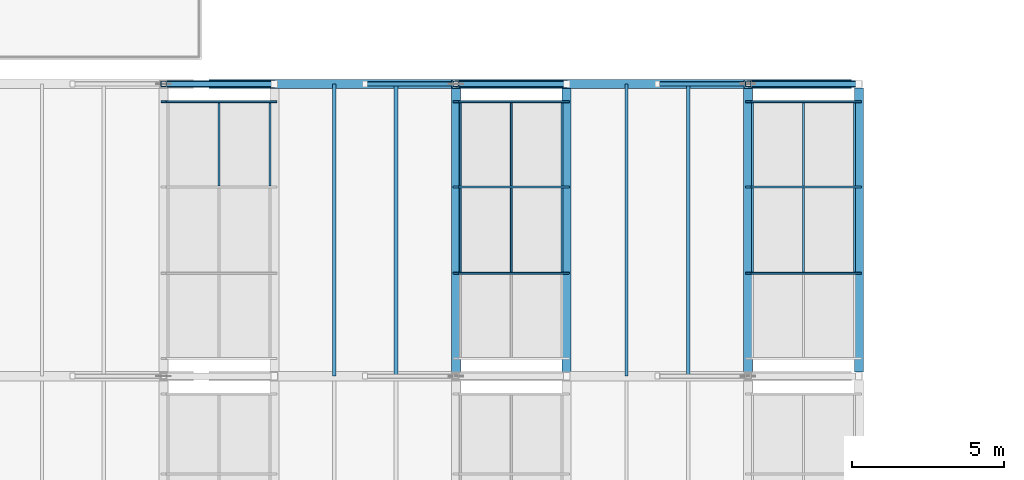
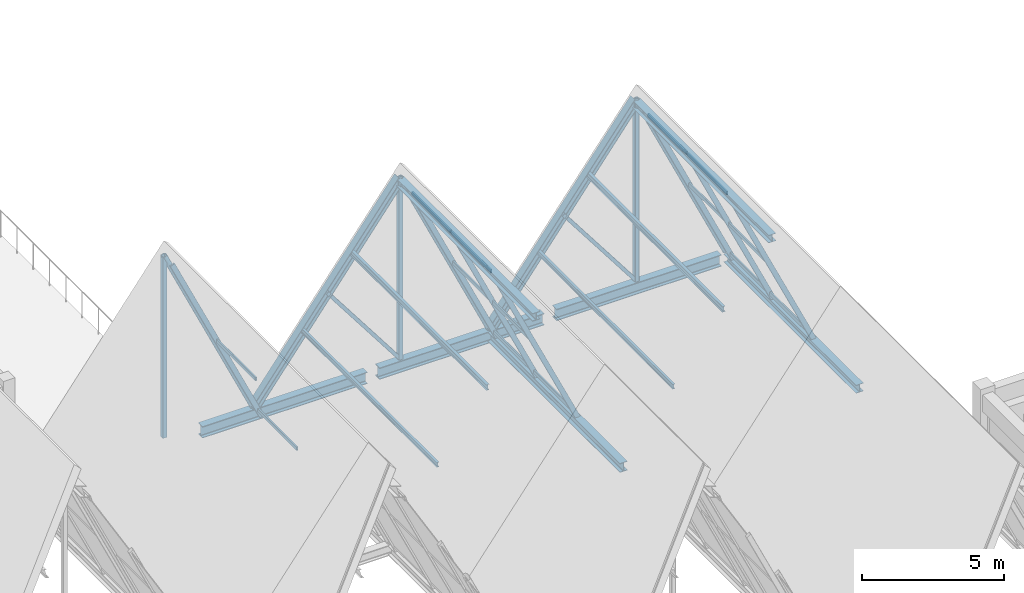
# One storey, part 28 of 99: 35 members, 7 beams, 3 elements without a shape of their own.
"""IFC4 building model written with IfcOpenShell, lengths in metres."""

from ifc_helpers import new_model, si_unit, direction, frame, origin, origin_2d, place, context, subcontext, project, spatial, hollow_rectangle, hollow_circle, i_section, extrude, material, material_profile, profile_set, type_object, element, aggregate, save


model = new_model("IFC4")

# Units and contexts
model_context = context("Model", 3, precision=1e-05, world=origin(), true_north=direction((0.0, 1.0)))
body_context = subcontext(model_context, "Body", "Model", "MODEL_VIEW")
ifc_project = project(units=[si_unit("LENGTHUNIT", "METRE"), si_unit("AREAUNIT", "SQUARE_METRE"), si_unit("VOLUMEUNIT", "CUBIC_METRE"), si_unit("PLANEANGLEUNIT", "RADIAN"), si_unit("MASSUNIT", "GRAM", prefix="KILO")], contexts=[model_context])

# Site, building, storey
site_placement = place(None, origin())
site = spatial("IfcSite", under=ifc_project, at=site_placement, CompositionType="ELEMENT")
building_placement = place(site_placement, origin())
building = spatial("IfcBuilding", under=site, at=building_placement, Name="Bramveld Media Centre", CompositionType="ELEMENT")
storey_placement = place(building_placement, frame((0.0, 0.0, 13.800048828125)))
storey = spatial("IfcBuildingStorey", under=building, at=storey_placement, Name="L03", CompositionType="ELEMENT", Elevation=13.800048828125)

# Curtain wall, member
ifc_material_1 = material(Name="Thermally broken anodized bronze aluminium unitized curtain wall with solar-control triple glazing", Category="aluminium")
curtain_wall_type = type_object("IfcCurtainWallType", Name="CW-SAW-8500x8606", PredefinedType="NOTDEFINED", material=ifc_material_1)
curtain_wall_1_placement = place(storey_placement, origin())
curtain_wall_1 = element("IfcCurtainWall", 1, at=curtain_wall_1_placement, inside=storey, type_object=curtain_wall_type, Name="V2 sawtooth north-light clerestory B4-S3", PredefinedType="NOTDEFINED")
ifc_material_2 = material(Name="Thermally broken anodized bronze aluminium EN AW-6063 T6 curtain-wall framing", Category="aluminium")
ifc_material_profile_1 = material_profile(ifc_material_2, hollow_rectangle(XDim=0.070068359375, YDim=0.199951171875, WallThickness=0.00439453125, InnerFilletRadius=0.00439453125, OuterFilletRadius=0.009033203125, at=origin_2d()), Name="AL-MULL 70x200")
ifc_profile_set_1 = profile_set([ifc_material_profile_1], Name="Thermally broken anodized bronze aluminium EN AW-6063 T6 curtain-wall framing")
member_type_1 = type_object("IfcMemberType", Name="CW-MULL-SLP", PredefinedType="MULLION", material=ifc_profile_set_1)
member_1_placement = place(storey_placement, frame((38.39990234375, 37.81494140625, -0.02001953125), z_axis=(-0.423956992265, 0.0, 0.90568232218), x_axis=(0.0, -1.0, 0.0)))
member_1 = element("IfcMember", 2, at=member_1_placement, type_object=member_type_1, Name="CW-SA-8586 sloped mullion 4", PredefinedType="MULLION", context=body_context, shape_type="SweptSolid", body=[
    extrude(hollow_rectangle(XDim=0.070068359375, YDim=0.199951171875, WallThickness=0.00439453125, InnerFilletRadius=0.00439453125, OuterFilletRadius=0.009033203125, at=origin_2d()), origin(), (0.0, 0.0, 1.0), 8.5791015625),
])

# Curtain wall, members
curtain_wall_2_placement = place(storey_placement, origin())
curtain_wall_2 = element("IfcCurtainWall", 3, at=curtain_wall_2_placement, inside=storey, type_object=curtain_wall_type, Name="V2 sawtooth north-light clerestory B5-S3", PredefinedType="NOTDEFINED")
member_2_placement = place(storey_placement, frame((48.0, 32.183349609375, -0.02001953125), z_axis=(-0.423956992265, 0.0, 0.90568232218), x_axis=(0.0, -1.0, 0.0)))
member_2 = element("IfcMember", 4, at=member_2_placement, type_object=member_type_1, Name="CW-SA-8586 sloped mullion 2", PredefinedType="MULLION", context=body_context, shape_type="SweptSolid", body=[
    extrude(hollow_rectangle(XDim=0.070068359375, YDim=0.199951171875, WallThickness=0.00439453125, InnerFilletRadius=0.00439453125, OuterFilletRadius=0.009033203125, at=origin_2d()), origin(), (0.0, 0.0, 1.0), 8.5791015625),
])
member_3_placement = place(storey_placement, frame((48.0, 35.0166015625, -0.02001953125), z_axis=(-0.423956992265, 0.0, 0.90568232218), x_axis=(0.0, -1.0, 0.0)))
member_3 = element("IfcMember", 5, at=member_3_placement, type_object=member_type_1, Name="CW-SA-8586 sloped mullion 3", PredefinedType="MULLION", context=body_context, shape_type="SweptSolid", body=[
    extrude(hollow_rectangle(XDim=0.070068359375, YDim=0.199951171875, WallThickness=0.00439453125, InnerFilletRadius=0.00439453125, OuterFilletRadius=0.009033203125, at=origin_2d()), origin(), (0.0, 0.0, 1.0), 8.5791015625),
])
member_4_placement = place(storey_placement, frame((48.0, 37.81494140625, -0.02001953125), z_axis=(-0.423956992265, 0.0, 0.90568232218), x_axis=(0.0, -1.0, 0.0)))
member_4 = element("IfcMember", 6, at=member_4_placement, type_object=member_type_1, Name="CW-SA-8586 sloped mullion 4", PredefinedType="MULLION", context=body_context, shape_type="SweptSolid", body=[
    extrude(hollow_rectangle(XDim=0.070068359375, YDim=0.199951171875, WallThickness=0.00439453125, InnerFilletRadius=0.00439453125, OuterFilletRadius=0.009033203125, at=origin_2d()), origin(), (0.0, 0.0, 1.0), 8.5791015625),
])

curtain_wall_3_placement = place(storey_placement, origin())
curtain_wall_3 = element("IfcCurtainWall", 7, at=curtain_wall_3_placement, inside=storey, type_object=curtain_wall_type, Name="V2 sawtooth north-light clerestory B6-S3", PredefinedType="NOTDEFINED")
member_5_placement = place(storey_placement, frame((57.60009765625, 32.183349609375, -0.02001953125), z_axis=(-0.423956992265, 0.0, 0.90568232218), x_axis=(0.0, -1.0, 0.0)))
member_5 = element("IfcMember", 8, at=member_5_placement, type_object=member_type_1, Name="CW-SA-8586 sloped mullion 2", PredefinedType="MULLION", context=body_context, shape_type="SweptSolid", body=[
    extrude(hollow_rectangle(XDim=0.070068359375, YDim=0.199951171875, WallThickness=0.00439453125, InnerFilletRadius=0.00439453125, OuterFilletRadius=0.009033203125, at=origin_2d()), origin(), (0.0, 0.0, 1.0), 8.5791015625),
])
member_6_placement = place(storey_placement, frame((57.60009765625, 35.0166015625, -0.02001953125), z_axis=(-0.423956992265, 0.0, 0.90568232218), x_axis=(0.0, -1.0, 0.0)))
member_6 = element("IfcMember", 9, at=member_6_placement, type_object=member_type_1, Name="CW-SA-8586 sloped mullion 3", PredefinedType="MULLION", context=body_context, shape_type="SweptSolid", body=[
    extrude(hollow_rectangle(XDim=0.070068359375, YDim=0.199951171875, WallThickness=0.00439453125, InnerFilletRadius=0.00439453125, OuterFilletRadius=0.009033203125, at=origin_2d()), origin(), (0.0, 0.0, 1.0), 8.5791015625),
])
member_7_placement = place(storey_placement, frame((57.60009765625, 37.81494140625, -0.02001953125), z_axis=(-0.423956992265, 0.0, 0.90568232218), x_axis=(0.0, -1.0, 0.0)))
member_7 = element("IfcMember", 10, at=member_7_placement, type_object=member_type_1, Name="CW-SA-8586 sloped mullion 4", PredefinedType="MULLION", context=body_context, shape_type="SweptSolid", body=[
    extrude(hollow_rectangle(XDim=0.070068359375, YDim=0.199951171875, WallThickness=0.00439453125, InnerFilletRadius=0.00439453125, OuterFilletRadius=0.009033203125, at=origin_2d()), origin(), (0.0, 0.0, 1.0), 8.5791015625),
])

# Member
ifc_material_3 = material(Name="Thermally broken anodized bronze aluminium EN AW-6063 T6 curtain-wall framing", Category="aluminium")
ifc_material_profile_2 = material_profile(ifc_material_3, hollow_rectangle(XDim=0.070068359375, YDim=0.14990234375, WallThickness=0.00390625, InnerFilletRadius=0.00390625, OuterFilletRadius=0.008056640625, at=origin_2d()), Name="AL-TRAN 70x150")
ifc_profile_set_2 = profile_set([ifc_material_profile_2], Name="Thermally broken anodized bronze aluminium EN AW-6063 T6 curtain-wall framing")
member_type_2 = type_object("IfcMemberType", Name="CW-TRAN-SLP", PredefinedType="USERDEFINED", material=ifc_profile_set_2)
member_8_placement = place(storey_placement, frame((38.25439453125, 35.0517578125, 0.290771484375), z_axis=(0.0, 1.0, 0.0), x_axis=(-1.0, 0.0, 0.0)))
member_8 = element("IfcMember", 11, at=member_8_placement, type_object=member_type_2, Name="CW-SA-8586 transom 3.1", ObjectType="TRANSOM", PredefinedType="USERDEFINED", context=body_context, shape_type="SweptSolid", body=[
    extrude(hollow_rectangle(XDim=0.070068359375, YDim=0.14990234375, WallThickness=0.00390625, InnerFilletRadius=0.00390625, OuterFilletRadius=0.008056640625, at=origin_2d()), origin(), (0.0, 0.0, 1.0), 2.728271484375),
])

member_9_placement = place(storey_placement, frame((36.581298828125, 35.0517578125, 3.864990234375), z_axis=(0.0, 1.0, 0.0), x_axis=(-1.0, 0.0, 0.0)))
member_9 = element("IfcMember", 12, at=member_9_placement, type_object=member_type_2, Name="CW-SA-8586 transom 3.2", ObjectType="TRANSOM", PredefinedType="USERDEFINED", context=body_context, shape_type="SweptSolid", body=[
    extrude(hollow_rectangle(XDim=0.070068359375, YDim=0.14990234375, WallThickness=0.00390625, InnerFilletRadius=0.00390625, OuterFilletRadius=0.008056640625, at=origin_2d()), origin(), (0.0, 0.0, 1.0), 2.728271484375),
])

aggregate(curtain_wall_1, [member_1, member_8, member_9])

member_10_placement = place(storey_placement, frame((47.8544921875, 32.21826171875, 0.290771484375), z_axis=(0.0, 1.0, 0.0), x_axis=(-1.0, 0.0, 0.0)))
member_10 = element("IfcMember", 13, at=member_10_placement, type_object=member_type_2, Name="CW-SA-8586 transom 2.1", ObjectType="TRANSOM", PredefinedType="USERDEFINED", context=body_context, shape_type="SweptSolid", body=[
    extrude(hollow_rectangle(XDim=0.070068359375, YDim=0.14990234375, WallThickness=0.00390625, InnerFilletRadius=0.00390625, OuterFilletRadius=0.008056640625, at=origin_2d()), origin(), (0.0, 0.0, 1.0), 2.763427734375),
])

member_11_placement = place(storey_placement, frame((46.181396484375, 32.21826171875, 3.864990234375), z_axis=(0.0, 1.0, 0.0), x_axis=(-1.0, 0.0, 0.0)))
member_11 = element("IfcMember", 14, at=member_11_placement, type_object=member_type_2, Name="CW-SA-8586 transom 2.2", ObjectType="TRANSOM", PredefinedType="USERDEFINED", context=body_context, shape_type="SweptSolid", body=[
    extrude(hollow_rectangle(XDim=0.070068359375, YDim=0.14990234375, WallThickness=0.00390625, InnerFilletRadius=0.00390625, OuterFilletRadius=0.008056640625, at=origin_2d()), origin(), (0.0, 0.0, 1.0), 2.763427734375),
])

member_12_placement = place(storey_placement, frame((44.50830078125, 32.21826171875, 7.439208984375), z_axis=(0.0, 1.0, 0.0), x_axis=(-1.0, 0.0, 0.0)))
member_12 = element("IfcMember", 15, at=member_12_placement, type_object=member_type_2, Name="CW-SA-8586 transom 2.3", ObjectType="TRANSOM", PredefinedType="USERDEFINED", context=body_context, shape_type="SweptSolid", body=[
    extrude(hollow_rectangle(XDim=0.070068359375, YDim=0.14990234375, WallThickness=0.00390625, InnerFilletRadius=0.00390625, OuterFilletRadius=0.008056640625, at=origin_2d()), origin(), (0.0, 0.0, 1.0), 2.763427734375),
])

member_13_placement = place(storey_placement, frame((47.8544921875, 35.0517578125, 0.290771484375), z_axis=(0.0, 1.0, 0.0), x_axis=(-1.0, 0.0, 0.0)))
member_13 = element("IfcMember", 16, at=member_13_placement, type_object=member_type_2, Name="CW-SA-8586 transom 3.1", ObjectType="TRANSOM", PredefinedType="USERDEFINED", context=body_context, shape_type="SweptSolid", body=[
    extrude(hollow_rectangle(XDim=0.070068359375, YDim=0.14990234375, WallThickness=0.00390625, InnerFilletRadius=0.00390625, OuterFilletRadius=0.008056640625, at=origin_2d()), origin(), (0.0, 0.0, 1.0), 2.728271484375),
])

member_14_placement = place(storey_placement, frame((46.181396484375, 35.0517578125, 3.864990234375), z_axis=(0.0, 1.0, 0.0), x_axis=(-1.0, 0.0, 0.0)))
member_14 = element("IfcMember", 17, at=member_14_placement, type_object=member_type_2, Name="CW-SA-8586 transom 3.2", ObjectType="TRANSOM", PredefinedType="USERDEFINED", context=body_context, shape_type="SweptSolid", body=[
    extrude(hollow_rectangle(XDim=0.070068359375, YDim=0.14990234375, WallThickness=0.00390625, InnerFilletRadius=0.00390625, OuterFilletRadius=0.008056640625, at=origin_2d()), origin(), (0.0, 0.0, 1.0), 2.728271484375),
])

member_15_placement = place(storey_placement, frame((44.50830078125, 35.0517578125, 7.439208984375), z_axis=(0.0, 1.0, 0.0), x_axis=(-1.0, 0.0, 0.0)))
member_15 = element("IfcMember", 18, at=member_15_placement, type_object=member_type_2, Name="CW-SA-8586 transom 3.3", ObjectType="TRANSOM", PredefinedType="USERDEFINED", context=body_context, shape_type="SweptSolid", body=[
    extrude(hollow_rectangle(XDim=0.070068359375, YDim=0.14990234375, WallThickness=0.00390625, InnerFilletRadius=0.00390625, OuterFilletRadius=0.008056640625, at=origin_2d()), origin(), (0.0, 0.0, 1.0), 2.728271484375),
])

aggregate(curtain_wall_2, [member_2, member_3, member_4, member_10, member_11, member_12, member_13, member_14, member_15])

member_16_placement = place(storey_placement, frame((57.45458984375, 32.21826171875, 0.290771484375), z_axis=(0.0, 1.0, 0.0), x_axis=(-1.0, 0.0, 0.0)))
member_16 = element("IfcMember", 19, at=member_16_placement, type_object=member_type_2, Name="CW-SA-8586 transom 2.1", ObjectType="TRANSOM", PredefinedType="USERDEFINED", context=body_context, shape_type="SweptSolid", body=[
    extrude(hollow_rectangle(XDim=0.070068359375, YDim=0.14990234375, WallThickness=0.00390625, InnerFilletRadius=0.00390625, OuterFilletRadius=0.008056640625, at=origin_2d()), origin(), (0.0, 0.0, 1.0), 2.763427734375),
])

member_17_placement = place(storey_placement, frame((55.781494140625, 32.21826171875, 3.864990234375), z_axis=(0.0, 1.0, 0.0), x_axis=(-1.0, 0.0, 0.0)))
member_17 = element("IfcMember", 20, at=member_17_placement, type_object=member_type_2, Name="CW-SA-8586 transom 2.2", ObjectType="TRANSOM", PredefinedType="USERDEFINED", context=body_context, shape_type="SweptSolid", body=[
    extrude(hollow_rectangle(XDim=0.070068359375, YDim=0.14990234375, WallThickness=0.00390625, InnerFilletRadius=0.00390625, OuterFilletRadius=0.008056640625, at=origin_2d()), origin(), (0.0, 0.0, 1.0), 2.763427734375),
])

member_18_placement = place(storey_placement, frame((54.1083984375, 32.21826171875, 7.439208984375), z_axis=(0.0, 1.0, 0.0), x_axis=(-1.0, 0.0, 0.0)))
member_18 = element("IfcMember", 21, at=member_18_placement, type_object=member_type_2, Name="CW-SA-8586 transom 2.3", ObjectType="TRANSOM", PredefinedType="USERDEFINED", context=body_context, shape_type="SweptSolid", body=[
    extrude(hollow_rectangle(XDim=0.070068359375, YDim=0.14990234375, WallThickness=0.00390625, InnerFilletRadius=0.00390625, OuterFilletRadius=0.008056640625, at=origin_2d()), origin(), (0.0, 0.0, 1.0), 2.763427734375),
])

member_19_placement = place(storey_placement, frame((57.45458984375, 35.0517578125, 0.290771484375), z_axis=(0.0, 1.0, 0.0), x_axis=(-1.0, 0.0, 0.0)))
member_19 = element("IfcMember", 22, at=member_19_placement, type_object=member_type_2, Name="CW-SA-8586 transom 3.1", ObjectType="TRANSOM", PredefinedType="USERDEFINED", context=body_context, shape_type="SweptSolid", body=[
    extrude(hollow_rectangle(XDim=0.070068359375, YDim=0.14990234375, WallThickness=0.00390625, InnerFilletRadius=0.00390625, OuterFilletRadius=0.008056640625, at=origin_2d()), origin(), (0.0, 0.0, 1.0), 2.728271484375),
])

member_20_placement = place(storey_placement, frame((55.781494140625, 35.0517578125, 3.864990234375), z_axis=(0.0, 1.0, 0.0), x_axis=(-1.0, 0.0, 0.0)))
member_20 = element("IfcMember", 23, at=member_20_placement, type_object=member_type_2, Name="CW-SA-8586 transom 3.2", ObjectType="TRANSOM", PredefinedType="USERDEFINED", context=body_context, shape_type="SweptSolid", body=[
    extrude(hollow_rectangle(XDim=0.070068359375, YDim=0.14990234375, WallThickness=0.00390625, InnerFilletRadius=0.00390625, OuterFilletRadius=0.008056640625, at=origin_2d()), origin(), (0.0, 0.0, 1.0), 2.728271484375),
])

member_21_placement = place(storey_placement, frame((54.1083984375, 35.0517578125, 7.439208984375), z_axis=(0.0, 1.0, 0.0), x_axis=(-1.0, 0.0, 0.0)))
member_21 = element("IfcMember", 24, at=member_21_placement, type_object=member_type_2, Name="CW-SA-8586 transom 3.3", ObjectType="TRANSOM", PredefinedType="USERDEFINED", context=body_context, shape_type="SweptSolid", body=[
    extrude(hollow_rectangle(XDim=0.070068359375, YDim=0.14990234375, WallThickness=0.00390625, InnerFilletRadius=0.00390625, OuterFilletRadius=0.008056640625, at=origin_2d()), origin(), (0.0, 0.0, 1.0), 2.728271484375),
])

aggregate(curtain_wall_3, [member_5, member_6, member_7, member_16, member_17, member_18, member_19, member_20, member_21])

# Members
ifc_material_4 = material(Name="Steel S355J2H", Category="steel")
ifc_material_profile_3 = material_profile(ifc_material_4, hollow_circle(Radius=0.109619140625, WallThickness=0.012451171875, at=origin_2d()), Name="CHS 219.1x12.5")
ifc_profile_set_3 = profile_set([ifc_material_profile_3], Name="Steel S355J2H")
member_type_3 = type_object("IfcMemberType", Name="MEM-BRACE-CHS219", PredefinedType="BRACE", material=ifc_profile_set_3)
for number, where, z_axis, x_axis, name in (
    (25, (38.39990234375, 38.39990234375, 0.0), (-0.422616785161, 0.0, 0.906308475575), (0.0, -1.0, 0.0), "TRUSS-V2-B04-F5 north-light strut"),
    (26, (48.0, 38.39990234375, 0.0), (-0.422616785161, 0.0, 0.906308475575), (0.0, -1.0, 0.0), "TRUSS-V2-B05-F5 north-light strut"),
    (27, (57.60009765625, 38.39990234375, 0.0), (-0.422616785161, 0.0, 0.906308475575), (0.0, -1.0, 0.0), "TRUSS-V2-B06-F5 north-light strut"),
):
    element("IfcMember", number, at=place(storey_placement, frame(where, z_axis=z_axis, x_axis=x_axis)), inside=storey, type_object=member_type_3, Name=name, PredefinedType="BRACE", context=body_context, shape_type="SweptSolid", body=[
        extrude(hollow_circle(Radius=0.109619140625, WallThickness=0.012451171875, at=origin_2d()), origin(), (0.0, 0.0, 1.0), 8.6064453125),
    ])
ifc_material_5 = material(Name="Steel S355J2H", Category="steel")
ifc_material_profile_4 = material_profile(ifc_material_5, hollow_rectangle(XDim=0.14990234375, YDim=0.14990234375, WallThickness=0.010009765625, InnerFilletRadius=0.010009765625, OuterFilletRadius=0.02001953125, at=origin_2d()), Name="SHS 150x150x10")
ifc_profile_set_4 = profile_set([ifc_material_profile_4], Name="Steel S355J2H")
member_type_4 = type_object("IfcMemberType", Name="MEM-BRACE-SHS150", PredefinedType="BRACE", material=ifc_profile_set_4)
for number, where, z_axis, x_axis, name in (
    (28, (44.36279296875, 38.39990234375, 0.0), (-0.607343034298, 0.0, 0.794439701104), (0.0, -1.0, 0.0), "TRUSS-V2-B05-F5 web diagonal"),
    (29, (53.962890625, 38.39990234375, 0.0), (-0.607343034298, 0.0, 0.794439701104), (0.0, -1.0, 0.0), "TRUSS-V2-B06-F5 web diagonal"),
):
    element("IfcMember", number, at=place(storey_placement, frame(where, z_axis=z_axis, x_axis=x_axis)), inside=storey, type_object=member_type_4, Name=name, PredefinedType="BRACE", context=body_context, shape_type="SweptSolid", body=[
        extrude(hollow_rectangle(XDim=0.14990234375, YDim=0.14990234375, WallThickness=0.010009765625, InnerFilletRadius=0.010009765625, OuterFilletRadius=0.02001953125, at=origin_2d()), origin(), (0.0, 0.0, 1.0), 4.908935546875),
    ])
ifc_material_6 = material(Name="Steel S355J2", Category="steel")
ifc_material_profile_5 = material_profile(ifc_material_6, i_section(OverallWidth=0.300048828125, OverallDepth=0.340087890625, WebThickness=0.011962890625, FlangeThickness=0.021484375, FilletRadius=0.027099609375, at=origin_2d()), Name="HEB 340")
ifc_profile_set_5 = profile_set([ifc_material_profile_5], Name="Steel S355J2")
member_type_5 = type_object("IfcMemberType", Name="MEM-CHORD-HEB340", PredefinedType="CHORD", material=ifc_profile_set_5)
for number, where, z_axis, x_axis, name in (
    (30, (38.39990234375, 38.39990234375, 0.0), (0.607331036372, 0.0, 0.794448873282), (0.0, 1.0, 0.0), "TRUSS-V2-B05-F5 top rafter chord"),
    (31, (48.0, 38.39990234375, 0.0), (0.607331036372, 0.0, 0.794448873282), (0.0, 1.0, 0.0), "TRUSS-V2-B06-F5 top rafter chord"),
):
    element("IfcMember", number, at=place(storey_placement, frame(where, z_axis=z_axis, x_axis=x_axis)), inside=storey, type_object=member_type_5, Name=name, PredefinedType="CHORD", context=body_context, shape_type="SweptSolid", body=[
        extrude(i_section(OverallWidth=0.300048828125, OverallDepth=0.340087890625, WebThickness=0.011962890625, FlangeThickness=0.021484375, FilletRadius=0.027099609375, at=origin_2d()), origin(), (0.0, 0.0, 1.0), 9.818115234375),
    ])
ifc_material_7 = material(Name="Steel S355J2H", Category="steel")
ifc_material_profile_6 = material_profile(ifc_material_7, hollow_rectangle(XDim=0.179931640625, YDim=0.179931640625, WallThickness=0.010009765625, InnerFilletRadius=0.010009765625, OuterFilletRadius=0.02001953125, at=origin_2d()), Name="SHS 180x180x10")
ifc_profile_set_6 = profile_set([ifc_material_profile_6], Name="Steel S355J2H")
member_type_6 = type_object("IfcMemberType", Name="MEM-POST-SHS180", PredefinedType="POST", material=ifc_profile_set_6)
for number, where, z_axis, x_axis, name in (
    (32, (34.7626953125, 38.39990234375, 0.0), (0.0, 0.0, 1.0), (1.0, 0.0, 0.0), "TRUSS-V2-B04-F5 kingpost"),
    (33, (44.36279296875, 38.39990234375, 0.0), (0.0, 0.0, 1.0), (1.0, 0.0, 0.0), "TRUSS-V2-B05-F5 kingpost"),
    (34, (53.962890625, 38.39990234375, 0.0), (0.0, 0.0, 1.0), (1.0, 0.0, 0.0), "TRUSS-V2-B06-F5 kingpost"),
):
    element("IfcMember", number, at=place(storey_placement, frame(where, z_axis=z_axis, x_axis=x_axis)), inside=storey, type_object=member_type_6, Name=name, PredefinedType="POST", context=body_context, shape_type="SweptSolid", body=[
        extrude(hollow_rectangle(XDim=0.179931640625, YDim=0.179931640625, WallThickness=0.010009765625, InnerFilletRadius=0.010009765625, OuterFilletRadius=0.02001953125, at=origin_2d()), origin(), (0.0, 0.0, 1.0), 7.800048828125),
    ])
ifc_material_8 = material(Name="Steel S355J2", Category="steel")
ifc_material_profile_7 = material_profile(ifc_material_8, i_section(OverallWidth=0.10009765625, OverallDepth=0.199951171875, WebThickness=0.005615234375, FlangeThickness=0.008544921875, FilletRadius=0.011962890625, at=origin_2d()), Name="IPE 200")
ifc_profile_set_7 = profile_set([ifc_material_profile_7], Name="Steel S355J2")
member_type_7 = type_object("IfcMemberType", Name="MEM-PURLIN-IPE200", PredefinedType="PURLIN", material=ifc_profile_set_7)
for number, where, z_axis, x_axis, name in (
    (35, (40.36767578125, 28.800048828125, 2.650146484375), (0.0, 1.0, 0.0), (-1.0, 0.0, 0.0), "V2 roof purlin"),
    (36, (49.9677734375, 28.800048828125, 2.650146484375), (0.0, 1.0, 0.0), (-1.0, 0.0, 0.0), "V2 roof purlin"),
):
    element("IfcMember", number, at=place(storey_placement, frame(where, z_axis=z_axis, x_axis=x_axis)), inside=storey, type_object=member_type_7, Name=name, PredefinedType="PURLIN", context=body_context, shape_type="SweptSolid", body=[
        extrude(i_section(OverallWidth=0.10009765625, OverallDepth=0.199951171875, WebThickness=0.005615234375, FlangeThickness=0.008544921875, FilletRadius=0.011962890625, at=origin_2d()), origin(), (0.0, 0.0, 1.0), 9.599853515625),
    ])
ifc_material_9 = material(Name="Steel S355J2", Category="steel")
ifc_material_profile_8 = material_profile(ifc_material_9, i_section(OverallWidth=0.1201171875, OverallDepth=0.239990234375, WebThickness=0.006103515625, FlangeThickness=0.009765625, FilletRadius=0.014892578125, at=origin_2d()), Name="IPE 240")
ifc_profile_set_8 = profile_set([ifc_material_profile_8], Name="Steel S355J2")
member_type_8 = type_object("IfcMemberType", Name="MEM-PURLIN-IPE240", PredefinedType="PURLIN", material=ifc_profile_set_8)
for number, where, z_axis, x_axis, name in (
    (37, (42.39501953125, 28.800048828125, 5.26904296875), (0.0, 1.0, 0.0), (-1.0, 0.0, 0.0), "V2 roof purlin"),
    (38, (51.9951171875, 28.800048828125, 5.26904296875), (0.0, 1.0, 0.0), (-1.0, 0.0, 0.0), "V2 roof purlin"),
):
    element("IfcMember", number, at=place(storey_placement, frame(where, z_axis=z_axis, x_axis=x_axis)), inside=storey, type_object=member_type_8, Name=name, PredefinedType="PURLIN", context=body_context, shape_type="SweptSolid", body=[
        extrude(i_section(OverallWidth=0.1201171875, OverallDepth=0.239990234375, WebThickness=0.006103515625, FlangeThickness=0.009765625, FilletRadius=0.014892578125, at=origin_2d()), origin(), (0.0, 0.0, 1.0), 9.599853515625),
    ])

# Beams
ifc_material_10 = material(Name="Steel S355J2", Category="steel")
ifc_material_profile_9 = material_profile(ifc_material_10, i_section(OverallWidth=0.300048828125, OverallDepth=0.35009765625, WebThickness=0.010009765625, FlangeThickness=0.017578125, FilletRadius=0.027099609375, at=origin_2d()), Name="HEA 360")
ifc_profile_set_9 = profile_set([ifc_material_profile_9], Name="Steel S355J2")
beam_type_1 = type_object("IfcBeamType", Name="SBM-EXT-HEA-360", PredefinedType="BEAM", material=ifc_profile_set_9)
beam_1_placement = place(storey_placement, frame((57.60009765625, 28.93994140625, -0.175048828125), z_axis=(0.0, 1.0, 0.0), x_axis=(-1.0, 0.0, 0.0)))
element("IfcBeam", 39, at=beam_1_placement, inside=storey, type_object=beam_type_1, Name="V2 valley spine girder 6", PredefinedType="BEAM", context=body_context, shape_type="SweptSolid", body=[
    extrude(i_section(OverallWidth=0.300048828125, OverallDepth=0.35009765625, WebThickness=0.010009765625, FlangeThickness=0.017578125, FilletRadius=0.027099609375, at=origin_2d()), origin(), (0.0, 0.0, 1.0), 9.320068359375),
])
ifc_material_11 = material(Name="Steel S355J2", Category="steel")
ifc_material_profile_10 = material_profile(ifc_material_11, i_section(OverallWidth=0.300048828125, OverallDepth=0.5, WebThickness=0.014404296875, FlangeThickness=0.028076171875, FilletRadius=0.027099609375, at=origin_2d()), Name="HEB 500")
ifc_profile_set_10 = profile_set([ifc_material_profile_10], Name="Steel S355J2")
beam_type_2 = type_object("IfcBeamType", Name="SBM-EXT-HEB-500", PredefinedType="BEAM", material=ifc_profile_set_10)
for number, where, z_axis, x_axis, name in (
    (40, (36.25, 38.39990234375, -0.25), (1.0, 0.0, 0.0), (0.0, 1.0, 0.0), "V2 sawtooth tie girder"),
    (41, (43.449951171875, 38.39990234375, -0.25), (1.0, 0.0, 0.0), (0.0, 1.0, 0.0), "V2 sawtooth tie girder"),
):
    element("IfcBeam", number, at=place(storey_placement, frame(where, z_axis=z_axis, x_axis=x_axis)), inside=storey, type_object=beam_type_2, Name=name, PredefinedType="BEAM", context=body_context, shape_type="SweptSolid", body=[
        extrude(i_section(OverallWidth=0.300048828125, OverallDepth=0.5, WebThickness=0.014404296875, FlangeThickness=0.028076171875, FilletRadius=0.027099609375, at=origin_2d()), origin(), (0.0, 0.0, 1.0), 6.699951171875),
    ])
beam_2_placement = place(storey_placement, frame((50.64990234375, 38.39990234375, -0.25), z_axis=(1.0, 0.0, 0.0), x_axis=(0.0, 1.0, 0.0)))
element("IfcBeam", 42, at=beam_2_placement, inside=storey, type_object=beam_type_2, Name="V2 sawtooth tie girder", PredefinedType="BEAM", context=body_context, shape_type="SweptSolid", body=[
    extrude(i_section(OverallWidth=0.300048828125, OverallDepth=0.5, WebThickness=0.014404296875, FlangeThickness=0.028076171875, FilletRadius=0.027099609375, at=origin_2d()), origin(), (0.0, 0.0, 1.0), 6.7001953125),
])
ifc_material_12 = material(Name="Steel S355J2", Category="steel")
ifc_material_profile_11 = material_profile(ifc_material_12, i_section(OverallWidth=0.300048828125, OverallDepth=0.330078125, WebThickness=0.009521484375, FlangeThickness=0.0166015625, FilletRadius=0.027099609375, at=origin_2d()), Name="HEA 340")
ifc_profile_set_11 = profile_set([ifc_material_profile_11], Name="Steel S355J2")
beam_type_3 = type_object("IfcBeamType", Name="SBM-INT-HEA-340", PredefinedType="BEAM", material=ifc_profile_set_11)
for number, where, z_axis, x_axis, name in (
    (43, (44.36279296875, 28.800048828125, 7.635009765625), (0.0, 1.0, 0.0), (-1.0, 0.0, 0.0), "V2 ridge spine beam"),
    (44, (53.962890625, 28.800048828125, 7.635009765625), (0.0, 1.0, 0.0), (-1.0, 0.0, 0.0), "V2 ridge spine beam"),
):
    element("IfcBeam", number, at=place(storey_placement, frame(where, z_axis=z_axis, x_axis=x_axis)), inside=storey, type_object=beam_type_3, Name=name, PredefinedType="BEAM", context=body_context, shape_type="SweptSolid", body=[
        extrude(i_section(OverallWidth=0.300048828125, OverallDepth=0.330078125, WebThickness=0.009521484375, FlangeThickness=0.0166015625, FilletRadius=0.027099609375, at=origin_2d()), origin(), (0.0, 0.0, 1.0), 9.599853515625),
    ])
ifc_material_13 = material(Name="Steel S355J2", Category="steel")
ifc_material_profile_12 = material_profile(ifc_material_13, i_section(OverallWidth=0.300048828125, OverallDepth=0.39990234375, WebThickness=0.013427734375, FlangeThickness=0.02392578125, FilletRadius=0.027099609375, at=origin_2d()), Name="HEB 400")
ifc_profile_set_12 = profile_set([ifc_material_profile_12], Name="Steel S355J2")
beam_type_4 = type_object("IfcBeamType", Name="SBM-INT-HEB-400", PredefinedType="BEAM", material=ifc_profile_set_12)
beam_3_placement = place(storey_placement, frame((48.0, 28.93994140625, -0.199951171875), z_axis=(0.0, 1.0, 0.0), x_axis=(-1.0, 0.0, 0.0)))
element("IfcBeam", 45, at=beam_3_placement, inside=storey, type_object=beam_type_4, Name="V2 valley spine girder 5", PredefinedType="BEAM", context=body_context, shape_type="SweptSolid", body=[
    extrude(i_section(OverallWidth=0.300048828125, OverallDepth=0.39990234375, WebThickness=0.013427734375, FlangeThickness=0.02392578125, FilletRadius=0.027099609375, at=origin_2d()), origin(), (0.0, 0.0, 1.0), 9.320068359375),
])

save(model, "model.ifc")
